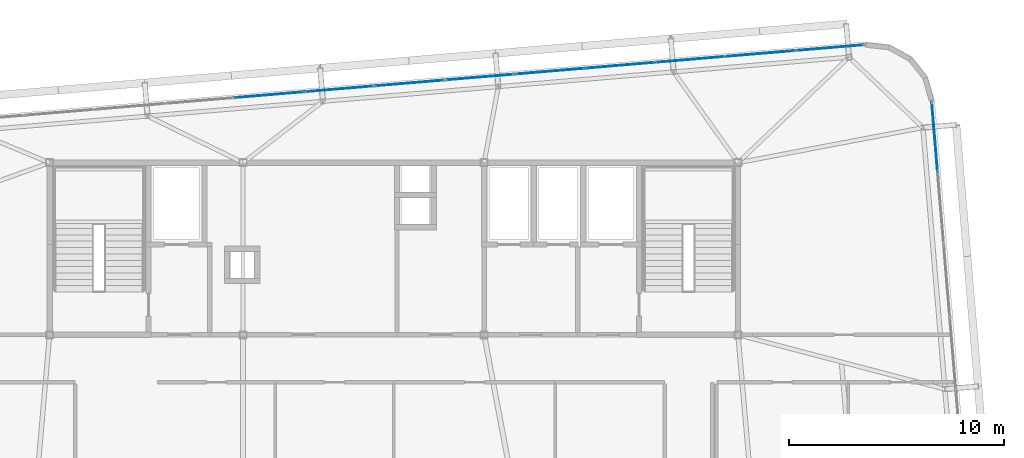
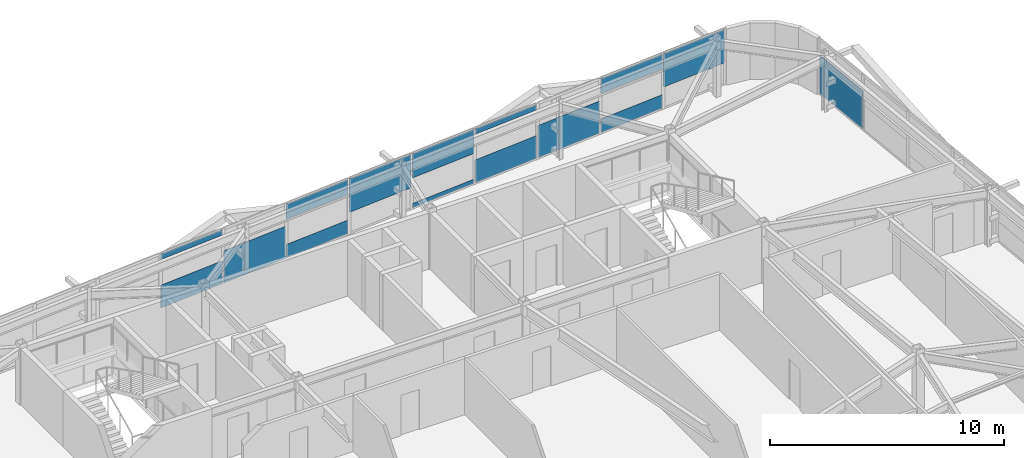
# One storey, part 33 of 46: 15 plates, 2 elements without a shape of their own.
"""IFC4 building model written with IfcOpenShell, lengths in metres."""

from ifc_helpers import new_model, si_unit, direction, frame, origin, origin_2d, place, context, subcontext, project, spatial, rectangle, extrude, source, transform, mapped, material, layer, layer_set, type_object, element, aggregate, save


model = new_model("IFC4")

# Units and contexts
model_context = context("Model", 3, precision=1e-05, world=origin(), true_north=direction((0.0, 1.0)))
body_context = subcontext(model_context, "Body", "Model", "MODEL_VIEW")
ifc_project = project(units=[si_unit("LENGTHUNIT", "METRE"), si_unit("AREAUNIT", "SQUARE_METRE"), si_unit("VOLUMEUNIT", "CUBIC_METRE"), si_unit("PLANEANGLEUNIT", "RADIAN"), si_unit("MASSUNIT", "GRAM", prefix="KILO")], contexts=[model_context])

# Site, building, storey
site_placement = place(None, origin())
site = spatial("IfcSite", under=ifc_project, at=site_placement, CompositionType="ELEMENT")
building_placement = place(site_placement, origin())
building = spatial("IfcBuilding", under=site, at=building_placement, Name="Taldren Reach Tower", CompositionType="ELEMENT")
storey_placement = place(building_placement, frame((0.0, 0.0, 188.300048828125)))
storey = spatial("IfcBuildingStorey", under=building, at=storey_placement, Name="L57", CompositionType="ELEMENT", Elevation=188.300048828125)

# Curtain wall, plates
ifc_material_1 = material(Name="Aluminium and Low-E Glass Unitised System", Category="aluminium")
ifc_layer_1 = layer(ifc_material_1, 0.159912109375)
ifc_layer_set_1 = layer_set([ifc_layer_1], Name="Aluminium and Low-E Glass Unitised System")
curtain_wall_type = type_object("IfcCurtainWallType", Name="CW-SYS-5", PredefinedType="NOTDEFINED", material=ifc_layer_set_1)
curtain_wall_1_placement = place(storey_placement, origin())
curtain_wall_1 = element("IfcCurtainWall", 1, at=curtain_wall_1_placement, inside=storey, type_object=curtain_wall_type, Name="Unitised curtain wall CW-L57-N", PredefinedType="NOTDEFINED")
ifc_material_2 = material(Name="Acoustic Triple-Laminated IGU", Category="glass")
ifc_layer_2 = layer(ifc_material_2, 0.035888671875)
ifc_layer_set_2 = layer_set([ifc_layer_2], Name="Acoustic Triple-Laminated IGU")
plate_type = type_object("IfcPlateType", Name="CW-PNL-IGU36", PredefinedType="CURTAIN_PANEL", material=ifc_layer_set_2)
shared_shape_1 = source(origin(), body_context, "Body", "SweptSolid", [
    extrude(rectangle(XDim=3.164306640625, YDim=0.035888671875, at=origin_2d()), origin(), (0.0, 0.0, 1.0), 1.734130859375),
])
plate_1_placement = place(storey_placement, frame((55.2685546875, 37.3427734375, 1.1357421875), z_axis=(0.0, 0.0, 1.0), x_axis=(-0.99649285657, -0.083677875247, 0.0)))
plate_1 = element("IfcPlate", 2, at=plate_1_placement, type_object=plate_type, Name="CW-5 panel 1.1 part 1", PredefinedType="CURTAIN_PANEL", context=body_context, shape_type="MappedRepresentation", body=[
    mapped(shared_shape_1, transform((0.0, 0.0, 0.0), scale=1.0)),
])
shared_shape_2 = source(origin(), body_context, "Body", "SweptSolid", [
    extrude(rectangle(XDim=3.19921875, YDim=0.035888671875, at=origin_2d()), origin(), (0.0, 0.0, 1.0), 0.711181640625),
])
plate_2_placement = place(storey_placement, frame((52.0283203125, 37.07080078125, 0.06005859375), z_axis=(0.0, 0.0, 1.0), x_axis=(-0.99649285657, -0.083677875247, 0.0)))
plate_2 = element("IfcPlate", 3, at=plate_2_placement, type_object=plate_type, Name="CW-5 panel 2.1 part 1", PredefinedType="CURTAIN_PANEL", context=body_context, shape_type="MappedRepresentation", body=[
    mapped(shared_shape_2, transform((0.0, 0.0, 0.0), scale=1.0)),
])
shared_shape_3 = source(origin(), body_context, "Body", "SweptSolid", [
    extrude(rectangle(XDim=3.19921875, YDim=0.035888671875, at=origin_2d()), origin(), (0.0, 0.0, 1.0), 0.762939453125),
])
plate_3_placement = place(storey_placement, frame((52.0283203125, 37.07080078125, 2.10693359375), z_axis=(0.0, 0.0, 1.0), x_axis=(-0.99649285657, -0.083677875247, 0.0)))
plate_3 = element("IfcPlate", 4, at=plate_3_placement, type_object=plate_type, Name="CW-5 panel 2.1 part 2", PredefinedType="CURTAIN_PANEL", context=body_context, shape_type="MappedRepresentation", body=[
    mapped(shared_shape_3, transform((0.0, 0.0, 0.0), scale=1.0)),
])
shared_shape_4 = source(origin(), body_context, "Body", "SweptSolid", [
    extrude(rectangle(XDim=3.19921875, YDim=0.035888671875, at=origin_2d()), origin(), (0.0, 0.0, 1.0), 1.682373046875),
])
plate_4_placement = place(storey_placement, frame((48.7705078125, 36.797119140625, 0.06005859375), z_axis=(0.0, 0.0, 1.0), x_axis=(-0.99649285657, -0.083677875247, 0.0)))
plate_4 = element("IfcPlate", 5, at=plate_4_placement, type_object=plate_type, Name="CW-5 panel 3.1 part 1", PredefinedType="CURTAIN_PANEL", context=body_context, shape_type="MappedRepresentation", body=[
    mapped(shared_shape_4, transform((0.0, 0.0, 0.0), scale=1.0)),
])
shared_shape_5 = source(origin(), body_context, "Body", "SweptSolid", [
    extrude(rectangle(XDim=3.19921875, YDim=0.035888671875, at=origin_2d()), origin(), (0.0, 0.0, 1.0), 1.190673828125),
])
plate_5_placement = place(storey_placement, frame((45.5126953125, 36.523681640625, 0.06005859375), z_axis=(0.0, 0.0, 1.0), x_axis=(-0.99649285657, -0.083677875247, 0.0)))
plate_5 = element("IfcPlate", 6, at=plate_5_placement, type_object=plate_type, Name="CW-5 panel 4.1 part 1", PredefinedType="CURTAIN_PANEL", context=body_context, shape_type="MappedRepresentation", body=[
    mapped(shared_shape_5, transform((0.0, 0.0, 0.0), scale=1.0)),
])
shared_shape_6 = source(origin(), body_context, "Body", "SweptSolid", [
    extrude(rectangle(XDim=3.19921875, YDim=0.035888671875, at=origin_2d()), origin(), (0.0, 0.0, 1.0), 0.283447265625),
])
plate_6_placement = place(storey_placement, frame((45.5126953125, 36.523681640625, 2.58642578125), z_axis=(0.0, 0.0, 1.0), x_axis=(-0.99649285657, -0.083677875247, 0.0)))
plate_6 = element("IfcPlate", 7, at=plate_6_placement, type_object=plate_type, Name="CW-5 panel 4.1 part 2", PredefinedType="CURTAIN_PANEL", context=body_context, shape_type="MappedRepresentation", body=[
    mapped(shared_shape_6, transform((0.0, 0.0, 0.0), scale=1.0)),
])
shared_shape_7 = source(origin(), body_context, "Body", "SweptSolid", [
    extrude(rectangle(XDim=3.19921875, YDim=0.035888671875, at=origin_2d()), origin(), (0.0, 0.0, 1.0), 0.219482421875),
])
plate_7_placement = place(storey_placement, frame((42.2548828125, 36.25, 0.06005859375), z_axis=(0.0, 0.0, 1.0), x_axis=(-0.99649285657, -0.083677875247, 0.0)))
plate_7 = element("IfcPlate", 8, at=plate_7_placement, type_object=plate_type, Name="CW-5 panel 5.1 part 1", PredefinedType="CURTAIN_PANEL", context=body_context, shape_type="MappedRepresentation", body=[
    mapped(shared_shape_7, transform((0.0, 0.0, 0.0), scale=1.0)),
])
shared_shape_8 = source(origin(), body_context, "Body", "SweptSolid", [
    extrude(rectangle(XDim=3.19921875, YDim=0.035888671875, at=origin_2d()), origin(), (0.0, 0.0, 1.0), 1.254638671875),
])
plate_8_placement = place(storey_placement, frame((42.2548828125, 36.25, 1.615234375), z_axis=(0.0, 0.0, 1.0), x_axis=(-0.99649285657, -0.083677875247, 0.0)))
plate_8 = element("IfcPlate", 9, at=plate_8_placement, type_object=plate_type, Name="CW-5 panel 5.1 part 2", PredefinedType="CURTAIN_PANEL", context=body_context, shape_type="MappedRepresentation", body=[
    mapped(shared_shape_8, transform((0.0, 0.0, 0.0), scale=1.0)),
])
shared_shape_9 = source(origin(), body_context, "Body", "SweptSolid", [
    extrude(rectangle(XDim=3.19921875, YDim=0.035888671875, at=origin_2d()), origin(), (0.0, 0.0, 1.0), 1.73828125),
])
plate_9_placement = place(storey_placement, frame((38.9970703125, 35.9765625, 1.131591796875), z_axis=(0.0, 0.0, 1.0), x_axis=(-0.99649285657, -0.083677875247, 0.0)))
plate_9 = element("IfcPlate", 10, at=plate_9_placement, type_object=plate_type, Name="CW-5 panel 6.1 part 1", PredefinedType="CURTAIN_PANEL", context=body_context, shape_type="MappedRepresentation", body=[
    mapped(shared_shape_9, transform((0.0, 0.0, 0.0), scale=1.0)),
])
shared_shape_10 = source(origin(), body_context, "Body", "SweptSolid", [
    extrude(rectangle(XDim=3.19921875, YDim=0.035888671875, at=origin_2d()), origin(), (0.0, 0.0, 1.0), 0.70703125),
])
plate_10_placement = place(storey_placement, frame((35.739501953125, 35.702880859375, 0.06005859375), z_axis=(0.0, 0.0, 1.0), x_axis=(-0.99649285657, -0.083677875247, 0.0)))
plate_10 = element("IfcPlate", 11, at=plate_10_placement, type_object=plate_type, Name="CW-5 panel 7.1 part 1", PredefinedType="CURTAIN_PANEL", context=body_context, shape_type="MappedRepresentation", body=[
    mapped(shared_shape_10, transform((0.0, 0.0, 0.0), scale=1.0)),
])
shared_shape_11 = source(origin(), body_context, "Body", "SweptSolid", [
    extrude(rectangle(XDim=3.19921875, YDim=0.035888671875, at=origin_2d()), origin(), (0.0, 0.0, 1.0), 0.76708984375),
])
plate_11_placement = place(storey_placement, frame((35.739501953125, 35.702880859375, 2.102783203125), z_axis=(0.0, 0.0, 1.0), x_axis=(-0.99649285657, -0.083677875247, 0.0)))
plate_11 = element("IfcPlate", 12, at=plate_11_placement, type_object=plate_type, Name="CW-5 panel 7.1 part 2", PredefinedType="CURTAIN_PANEL", context=body_context, shape_type="MappedRepresentation", body=[
    mapped(shared_shape_11, transform((0.0, 0.0, 0.0), scale=1.0)),
])
shared_shape_12 = source(origin(), body_context, "Body", "SweptSolid", [
    extrude(rectangle(XDim=3.19921875, YDim=0.035888671875, at=origin_2d()), origin(), (0.0, 0.0, 1.0), 1.67822265625),
])
plate_12_placement = place(storey_placement, frame((32.481689453125, 35.429443359375, 0.06005859375), z_axis=(0.0, 0.0, 1.0), x_axis=(-0.99649285657, -0.083677875247, 0.0)))
plate_12 = element("IfcPlate", 13, at=plate_12_placement, type_object=plate_type, Name="CW-5 panel 8.1 part 1", PredefinedType="CURTAIN_PANEL", context=body_context, shape_type="MappedRepresentation", body=[
    mapped(shared_shape_12, transform((0.0, 0.0, 0.0), scale=1.0)),
])
shared_shape_13 = source(origin(), body_context, "Body", "SweptSolid", [
    extrude(rectangle(XDim=3.19921875, YDim=0.035888671875, at=origin_2d()), origin(), (0.0, 0.0, 1.0), 1.194580078125),
])
plate_13_placement = place(storey_placement, frame((29.223876953125, 35.15576171875, 0.06005859375), z_axis=(0.0, 0.0, 1.0), x_axis=(-0.99649285657, -0.083677875247, 0.0)))
plate_13 = element("IfcPlate", 14, at=plate_13_placement, type_object=plate_type, Name="CW-5 panel 9.1 part 1", PredefinedType="CURTAIN_PANEL", context=body_context, shape_type="MappedRepresentation", body=[
    mapped(shared_shape_13, transform((0.0, 0.0, 0.0), scale=1.0)),
])
shared_shape_14 = source(origin(), body_context, "Body", "SweptSolid", [
    extrude(rectangle(XDim=3.19921875, YDim=0.035888671875, at=origin_2d()), origin(), (0.0, 0.0, 1.0), 0.279296875),
])
plate_14_placement = place(storey_placement, frame((29.223876953125, 35.15576171875, 2.590576171875), z_axis=(0.0, 0.0, 1.0), x_axis=(-0.99649285657, -0.083677875247, 0.0)))
plate_14 = element("IfcPlate", 15, at=plate_14_placement, type_object=plate_type, Name="CW-5 panel 9.1 part 2", PredefinedType="CURTAIN_PANEL", context=body_context, shape_type="MappedRepresentation", body=[
    mapped(shared_shape_14, transform((0.0, 0.0, 0.0), scale=1.0)),
])
aggregate(curtain_wall_1, [plate_1, plate_2, plate_3, plate_4, plate_5, plate_6, plate_7, plate_8, plate_9, plate_10, plate_11, plate_12, plate_13, plate_14])

# Curtain wall, plate
curtain_wall_2_placement = place(storey_placement, origin())
curtain_wall_2 = element("IfcCurtainWall", 16, at=curtain_wall_2_placement, inside=storey, type_object=curtain_wall_type, Name="Unitised curtain wall CW-L57-E", PredefinedType="NOTDEFINED")
shared_shape_15 = source(origin(), body_context, "Body", "SweptSolid", [
    extrude(rectangle(XDim=3.2451171875, YDim=0.035888671875, at=origin_2d()), origin(), (0.0, 0.0, 1.0), 1.980224609375),
])
plate_15_placement = place(storey_placement, frame((60.145751953125, 33.183837890625, 0.06005859375), z_axis=(0.0, 0.0, 1.0), x_axis=(-0.083677979808, 0.996492847789, 0.0)))
plate_15 = element("IfcPlate", 17, at=plate_15_placement, type_object=plate_type, Name="CW-5 panel 8.1 part 1", PredefinedType="CURTAIN_PANEL", context=body_context, shape_type="MappedRepresentation", body=[
    mapped(shared_shape_15, transform((0.0, 0.0, 0.0), scale=1.0)),
])
aggregate(curtain_wall_2, [plate_15])

save(model, "model.ifc")
